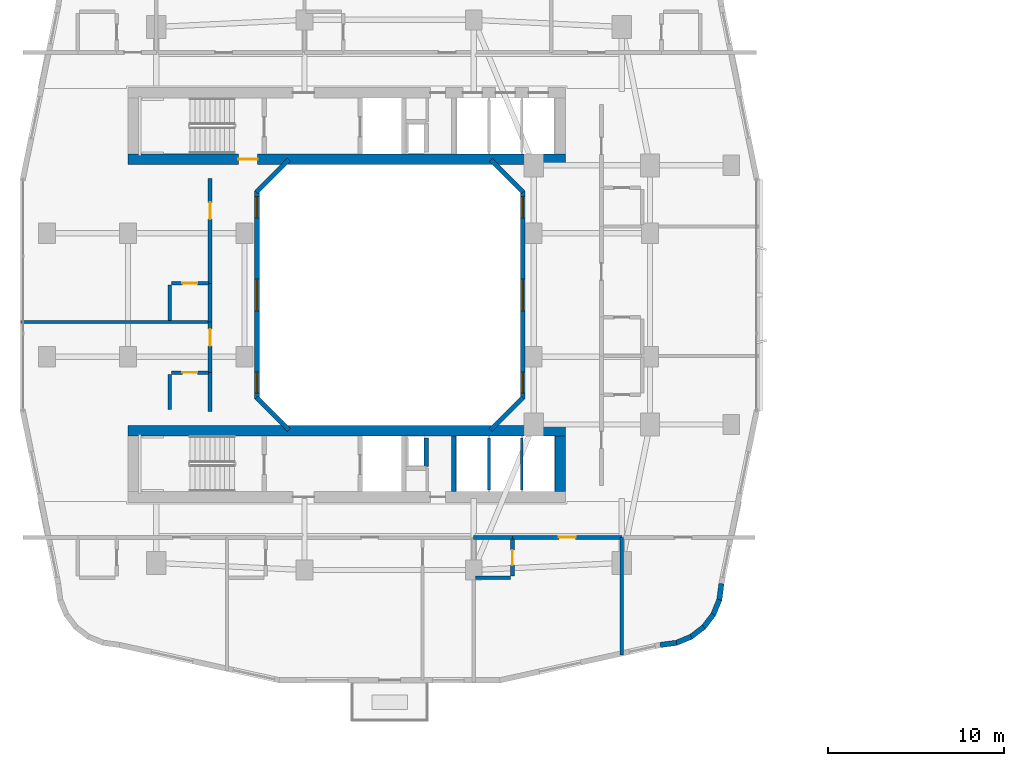
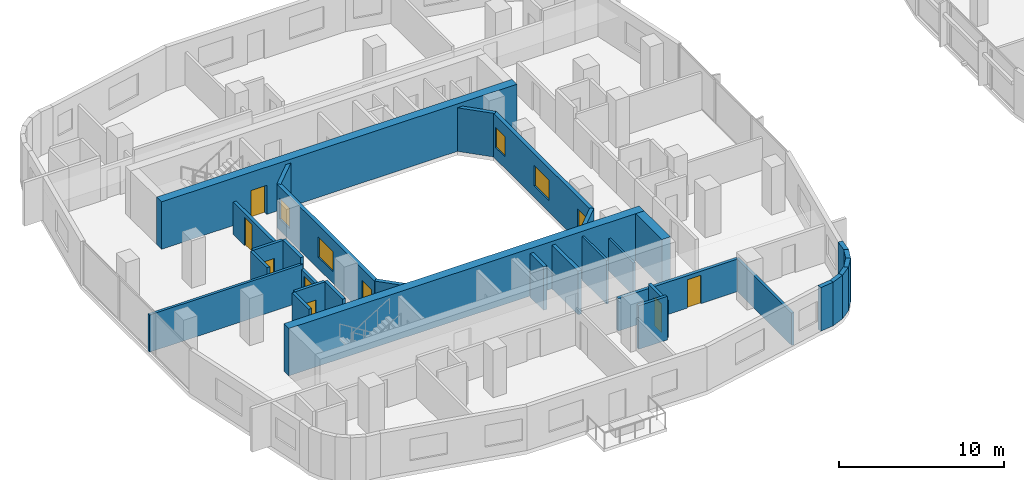
# One storey, part 9 of 22: 33 walls, 7 doors, 6 windows, 13 openings.
"""IFC4 building model written with IfcOpenShell, lengths in metres."""

from ifc_helpers import new_model, si_unit, derived_unit, direction, frame, frame_2d, origin, place, context, subcontext, project, spatial, rectangle, extrude, material, layer, layer_set, type_object, element, fill, save


model = new_model("IFC4")

# Units and contexts
model_context = context("Model", 3, precision=1e-05, world=origin(), true_north=direction((0.0, 1.0)))
body_context = subcontext(model_context, "Body", "Model", "MODEL_VIEW")
ifc_project = project(units=[si_unit("LENGTHUNIT", "METRE"), si_unit("AREAUNIT", "SQUARE_METRE"), si_unit("VOLUMEUNIT", "CUBIC_METRE"), si_unit("PLANEANGLEUNIT", "RADIAN"), si_unit("MASSUNIT", "GRAM", prefix="KILO"), derived_unit("THERMALTRANSMITTANCEUNIT", [(si_unit("POWERUNIT", "WATT"), 1), (si_unit("LENGTHUNIT", "METRE"), -2), (si_unit("THERMODYNAMICTEMPERATUREUNIT", "KELVIN"), -1)])], contexts=[model_context])

# Site, building, storey
site_placement = place(None, origin())
site = spatial("IfcSite", under=ifc_project, at=site_placement, CompositionType="ELEMENT")
building_placement = place(site_placement, origin())
building = spatial("IfcBuilding", under=site, at=building_placement, Name="Kivonza Crest Hotel", CompositionType="ELEMENT")
storey_placement = place(building_placement, frame((0.0, 0.0, 48.5)))
storey = spatial("IfcBuildingStorey", under=building, at=storey_placement, Name="L12", CompositionType="ELEMENT", Elevation=48.5)

# Walls
ifc_material_1 = material(Name="High-density acoustic masonry inter-tenancy wall", Category="masonry")
ifc_layer_1 = layer(ifc_material_1, 0.179931640625)
ifc_layer_set_1 = layer_set([ifc_layer_1], Name="High-density acoustic masonry inter-tenancy wall")
wall_type_1 = type_object("IfcWallType", Name="WL-ACOU-180", PredefinedType="SOLIDWALL", material=ifc_layer_set_1)
wall_1_placement = place(storey_placement, frame((34.199951171875, 4.575927734375, 0.0), z_axis=(0.0, 0.0, 1.0), x_axis=(0.0, 1.0, 0.0)))
element("IfcWall", 1, at=wall_1_placement, inside=storey, type_object=wall_type_1, Name="L12 interior partition WA-L12-T1S-DIV3", PredefinedType="SOLIDWALL", context=body_context, shape_type="SweptSolid", body=[
    extrude(rectangle(XDim=6.674072265625, YDim=0.179931640625, at=frame_2d((3.3369140625, 0.0))), origin(), (0.0, 0.0, 1.0), 2.39501953125),
])
wall_2_placement = place(storey_placement, frame((0.139892578125, 23.4599609375, 0.0), z_axis=(0.0, 0.0, 1.0), x_axis=(1.0, 0.0, 0.0)))
element("IfcWall", 2, at=wall_2_placement, inside=storey, type_object=wall_type_1, Name="L12 interior partition WA-L12-T1W-DIV1", PredefinedType="SOLIDWALL", context=body_context, shape_type="SweptSolid", body=[
    extrude(rectangle(XDim=10.710205078125, YDim=0.179931640625, at=frame_2d((5.35498046875, 0.0))), origin(), (0.0, 0.0, 1.0), 2.7451171875),
])
ifc_material_2 = material(Name="Autoclaved aerated concrete blockwork", Category="masonry")
ifc_layer_2 = layer(ifc_material_2, 0.219970703125)
ifc_layer_set_2 = layer_set([ifc_layer_2], Name="Autoclaved aerated concrete blockwork")
wall_type_2 = type_object("IfcWallType", Name="WL-ACOU-220", PredefinedType="SOLIDWALL", material=ifc_layer_set_2)
wall_3_placement = place(storey_placement, frame((25.800048828125, 11.25, 0.0), z_axis=(0.0, 0.0, 1.0), x_axis=(1.0, 0.0, 0.0)))
element("IfcWall", 3, at=wall_3_placement, inside=storey, type_object=wall_type_2, Name="L12 interior partition WA-L12-S06-BCORR", PredefinedType="SOLIDWALL", context=body_context, shape_type="SweptSolid", body=[
    extrude(rectangle(XDim=2.199951171875, YDim=0.219970703125, at=frame_2d((1.10009765625, 0.0))), origin(), (0.0, 0.0, 1.0), 2.39501953125),
])

# Wall, opening, door
wall_4_placement = place(storey_placement, frame((28.0, 11.25, 0.0), z_axis=(0.0, 0.0, 1.0), x_axis=(1.0, 0.0, 0.0)))
wall_4 = element("IfcWall", 4, at=wall_4_placement, inside=storey, type_object=wall_type_2, Name="L12 interior partition WA-L12-S06-MCORR", PredefinedType="SOLIDWALL", context=body_context, shape_type="SweptSolid", body=[
    extrude(rectangle(XDim=6.199951171875, YDim=0.219970703125, at=frame_2d((3.10009765625, 0.0))), origin(), (0.0, 0.0, 1.0), 2.39501953125),
])
opening_1_placement = place(wall_4_placement, frame((2.625, 0.0, 0.0)))
opening_1 = element("IfcOpeningElement", 5, at=opening_1_placement, cuts=wall_4, Name="Opening DU-60", PredefinedType="OPENING", context=body_context, shape_type="SweptSolid", body=[
    extrude(rectangle(XDim=0.949951171875, YDim=2.10009765625, at=frame_2d((0.47509765625, 1.050048828125))), frame((0.0, 0.1201171875, 0.0), z_axis=(0.0, -1.0, 0.0), x_axis=(1.0, 0.0, 0.0)), (0.0, 0.0, 1.0), 0.239990234375),
])
ifc_material_3 = material(Name="Hardwood timber oak", Category="wood")
door_type_1 = type_object("IfcDoorType", Name="DR-UNIT-950", OperationType="NOTDEFINED", PredefinedType="DOOR", material=ifc_material_3)
door_1_placement = place(opening_1_placement, frame((0.949951171875, 0.0, 0.0), z_axis=(0.0, 0.0, 1.0), x_axis=(-1.0, 0.0, 0.0)))
door_1 = element("IfcDoor", 6, at=door_1_placement, inside=storey, type_object=door_type_1, Name="L12 S06 guest unit entrance fire door", OperationType="SINGLE_SWING_RIGHT", OverallHeight=2.10009765625, OverallWidth=0.949951171875, PredefinedType="DOOR", context=body_context, shape_type="SweptSolid", body=[
    extrude(rectangle(XDim=0.949951171875, YDim=2.10009765625, at=frame_2d((0.47509765625, 1.050048828125))), frame((0.0, 0.02490234375, 0.0), z_axis=(0.0, -1.0, 0.0), x_axis=(1.0, 0.0, 0.0)), (0.0, 0.0, 1.0), 0.050048828125),
])
fill(opening_1, door_1)

# Wall
wall_5_placement = place(storey_placement, frame((10.85009765625, 18.39990234375, 0.0), z_axis=(0.0, 0.0, 1.0), x_axis=(0.0, 1.0, 0.0)))
element("IfcWall", 7, at=wall_5_placement, inside=storey, type_object=wall_type_2, Name="L12 interior partition WA-L12-W07-BCORR", PredefinedType="SOLIDWALL", context=body_context, shape_type="SweptSolid", body=[
    extrude(rectangle(XDim=2.2001953125, YDim=0.219970703125, at=frame_2d((1.10009765625, 0.0))), origin(), (0.0, 0.0, 1.0), 3.219970703125),
])

# Wall, opening, door
wall_6_placement = place(storey_placement, frame((10.85009765625, 20.60009765625, 0.0), z_axis=(0.0, 0.0, 1.0), x_axis=(0.0, 1.0, 0.0)))
wall_6 = element("IfcWall", 8, at=wall_6_placement, inside=storey, type_object=wall_type_2, Name="L12 interior partition WA-L12-W07-MCORR", PredefinedType="SOLIDWALL", context=body_context, shape_type="SweptSolid", body=[
    extrude(rectangle(XDim=2.85986328125, YDim=0.219970703125, at=frame_2d((1.429931640625, 0.0))), origin(), (0.0, 0.0, 1.0), 2.39501953125),
])
opening_2_placement = place(wall_6_placement, frame((1.514892578125, 0.0, 0.0)))
opening_2 = element("IfcOpeningElement", 9, at=opening_2_placement, cuts=wall_6, Name="Opening DU-60", PredefinedType="OPENING", context=body_context, shape_type="SweptSolid", body=[
    extrude(rectangle(XDim=0.949951171875, YDim=2.10009765625, at=frame_2d((0.47509765625, 1.050048828125))), frame((0.0, 0.1201171875, 0.0), z_axis=(0.0, -1.0, 0.0), x_axis=(1.0, 0.0, 0.0)), (0.0, 0.0, 1.0), 0.239990234375),
])
door_2_placement = place(opening_2_placement, origin())
door_2 = element("IfcDoor", 10, at=door_2_placement, inside=storey, type_object=door_type_1, Name="L12 W07 guest unit entrance fire door", OperationType="SINGLE_SWING_LEFT", OverallHeight=2.10009765625, OverallWidth=0.949951171875, PredefinedType="DOOR", context=body_context, shape_type="SweptSolid", body=[
    extrude(rectangle(XDim=0.949951171875, YDim=2.10009765625, at=frame_2d((0.47509765625, 1.050048828125))), frame((0.0, 0.02490234375, 0.0), z_axis=(0.0, -1.0, 0.0), x_axis=(1.0, 0.0, 0.0)), (0.0, 0.0, 1.0), 0.050048828125),
])
fill(opening_2, door_2)

# Wall
wall_7_placement = place(storey_placement, frame((10.85009765625, 23.4599609375, 0.0), z_axis=(0.0, 0.0, 1.0), x_axis=(0.0, 1.0, 0.0)))
element("IfcWall", 11, at=wall_7_placement, inside=storey, type_object=wall_type_2, Name="L12 interior partition WA-L12-W08-BCORR", PredefinedType="SOLIDWALL", context=body_context, shape_type="SweptSolid", body=[
    extrude(rectangle(XDim=2.199951171875, YDim=0.219970703125, at=frame_2d((1.10009765625, 0.0))), origin(), (0.0, 0.0, 1.0), 3.219970703125),
])

# Wall, opening, door
wall_8_placement = place(storey_placement, frame((10.85009765625, 25.659912109375, 0.0), z_axis=(0.0, 0.0, 1.0), x_axis=(0.0, 1.0, 0.0)))
wall_8 = element("IfcWall", 12, at=wall_8_placement, inside=storey, type_object=wall_type_2, Name="L12 interior partition WA-L12-W08-MCORR", PredefinedType="SOLIDWALL", context=body_context, shape_type="SweptSolid", body=[
    extrude(rectangle(XDim=5.940185546875, YDim=0.219970703125, at=frame_2d((2.97021484375, 0.0))), origin(), (0.0, 0.0, 1.0), 2.39501953125),
])
opening_3_placement = place(wall_8_placement, frame((3.64501953125, 0.0, 0.0)))
opening_3 = element("IfcOpeningElement", 13, at=opening_3_placement, cuts=wall_8, Name="Opening DU-60", PredefinedType="OPENING", context=body_context, shape_type="SweptSolid", body=[
    extrude(rectangle(XDim=0.949951171875, YDim=2.10009765625, at=frame_2d((0.47509765625, 1.050048828125))), frame((0.0, 0.1201171875, 0.0), z_axis=(0.0, -1.0, 0.0), x_axis=(1.0, 0.0, 0.0)), (0.0, 0.0, 1.0), 0.239990234375),
])
door_3_placement = place(opening_3_placement, origin())
door_3 = element("IfcDoor", 14, at=door_3_placement, inside=storey, type_object=door_type_1, Name="L12 W08 guest unit entrance fire door", OperationType="SINGLE_SWING_RIGHT", OverallHeight=2.10009765625, OverallWidth=0.949951171875, PredefinedType="DOOR", context=body_context, shape_type="SweptSolid", body=[
    extrude(rectangle(XDim=0.949951171875, YDim=2.10009765625, at=frame_2d((0.47509765625, 1.050048828125))), frame((0.0, 0.02490234375, 0.0), z_axis=(0.0, -1.0, 0.0), x_axis=(1.0, 0.0, 0.0)), (0.0, 0.0, 1.0), 0.050048828125),
])
fill(opening_3, door_3)

ifc_material_4 = material(Name="Concrete C60/75", Category="concrete")
ifc_layer_3 = layer(ifc_material_4, 0.60009765625)
ifc_layer_set_3 = layer_set([ifc_layer_3], Name="Concrete C60/75")
wall_type_3 = type_object("IfcWallType", Name="WL-CORE-600", PredefinedType="SHEAR", material=ifc_layer_set_3)
wall_9_placement = place(storey_placement, frame((6.199951171875, 32.699951171875, 0.0), z_axis=(0.0, 0.0, 1.0), x_axis=(1.0, 0.0, 0.0)))
wall_9 = element("IfcWall", 15, at=wall_9_placement, inside=storey, type_object=wall_type_3, Name="Core wall T1-N South L12", PredefinedType="SHEAR", context=body_context, shape_type="SweptSolid", body=[
    extrude(rectangle(XDim=24.800048828125, YDim=0.60009765625, at=frame_2d((12.39990234375, 0.0))), origin(), (0.0, 0.0, 1.0), 3.5),
])
opening_4_placement = place(wall_9_placement, frame((6.25, 0.0, 0.0)))
opening_4 = element("IfcOpeningElement", 16, at=opening_4_placement, cuts=wall_9, Name="Opening DF-120", PredefinedType="OPENING", context=body_context, shape_type="SweptSolid", body=[
    extrude(rectangle(XDim=1.10009765625, YDim=2.14990234375, at=frame_2d((0.550048828125, 1.074951171875))), frame((0.0, 0.31005859375, 0.0), z_axis=(0.0, -1.0, 0.0), x_axis=(1.0, 0.0, 0.0)), (0.0, 0.0, 1.0), 0.6201171875),
])
ifc_material_5 = material(Name="Galvanised steel", Category="steel")
door_type_2 = type_object("IfcDoorType", Name="DR-FD120-1100", OperationType="NOTDEFINED", PredefinedType="DOOR", material=ifc_material_5)
door_4_placement = place(opening_4_placement, origin())
door_4 = element("IfcDoor", 17, at=door_4_placement, inside=storey, type_object=door_type_2, Name="L12 West corridor stair access fire door", OperationType="SINGLE_SWING_LEFT", OverallHeight=2.14990234375, OverallWidth=1.10009765625, PredefinedType="DOOR", context=body_context, shape_type="SweptSolid", body=[
    extrude(rectangle(XDim=1.10009765625, YDim=2.14990234375, at=frame_2d((0.550048828125, 1.074951171875))), frame((0.0, 0.02490234375, 0.0), z_axis=(0.0, -1.0, 0.0), x_axis=(1.0, 0.0, 0.0)), (0.0, 0.0, 1.0), 0.050048828125),
])
fill(opening_4, door_4)

# Walls
wall_10_placement = place(storey_placement, frame((6.199951171875, 17.300048828125, 0.0), z_axis=(0.0, 0.0, 1.0), x_axis=(1.0, 0.0, 0.0)))
element("IfcWall", 18, at=wall_10_placement, inside=storey, type_object=wall_type_3, Name="Core wall T1-S North L12", PredefinedType="SHEAR", context=body_context, shape_type="SweptSolid", body=[
    extrude(rectangle(XDim=24.800048828125, YDim=0.60009765625, at=frame_2d((12.39990234375, 0.0))), origin(), (0.0, 0.0, 1.0), 3.5),
])
wall_11_placement = place(storey_placement, frame((30.699951171875, 13.840087890625, 0.0), z_axis=(0.0, 0.0, 1.0), x_axis=(0.0, 1.0, 0.0)))
element("IfcWall", 19, at=wall_11_placement, inside=storey, type_object=wall_type_3, Name="Core wall T1-S East L12", PredefinedType="SHEAR", context=body_context, shape_type="SweptSolid", body=[
    extrude(rectangle(XDim=3.159912109375, YDim=0.60009765625, at=frame_2d((1.580078125, 0.0))), origin(), (0.0, 0.0, 1.0), 3.5),
])
ifc_material_6 = material(Name="Precast concrete C40/50", Category="concrete")
ifc_layer_4 = layer(ifc_material_6, 0.260009765625)
ifc_layer_set_4 = layer_set([ifc_layer_4], Name="Precast concrete C40/50")
wall_type_4 = type_object("IfcWallType", Name="WL-EXT-260", PredefinedType="STANDARD", material=ifc_layer_set_4)
wall_12_placement = place(storey_placement, frame((26.761962890625, 17.337890625, 0.0), z_axis=(0.0, 0.0, 1.0), x_axis=(0.707059717605, 0.707153841636, 0.0)))
element("IfcWall", 20, at=wall_12_placement, inside=storey, type_object=wall_type_4, Name="L12 T1 light-well exterior wall 2", PredefinedType="STANDARD", context=body_context, shape_type="SweptSolid", body=[
    extrude(rectangle(XDim=2.59375, YDim=0.260009765625, at=frame_2d((1.296875, 0.0))), origin(), (0.0, 0.0, 1.0), 3.219970703125),
])

# Wall, openings, windows
wall_13_placement = place(storey_placement, frame((28.570068359375, 19.110107421875, 0.0), z_axis=(0.0, 0.0, 1.0), x_axis=(0.0, 1.0, 0.0)))
wall_13 = element("IfcWall", 21, at=wall_13_placement, inside=storey, type_object=wall_type_4, Name="L12 T1 light-well exterior wall 3", PredefinedType="STANDARD", context=body_context, shape_type="SweptSolid", body=[
    extrude(rectangle(XDim=11.77978515625, YDim=0.260009765625, at=frame_2d((5.889892578125, 0.0))), origin(), (0.0, 0.0, 1.0), 3.219970703125),
])
opening_5_placement = place(wall_13_placement, frame((0.318115234375, 0.0, 0.85009765625)))
opening_5 = element("IfcOpeningElement", 22, at=opening_5_placement, cuts=wall_13, Name="Opening WN-01", PredefinedType="OPENING", context=body_context, shape_type="SweptSolid", body=[
    extrude(rectangle(XDim=1.199951171875, YDim=1.5, at=frame_2d((0.60009765625, 0.75))), frame((0.0, 0.14013671875, 0.0), z_axis=(0.0, -1.0, 0.0), x_axis=(1.0, 0.0, 0.0)), (0.0, 0.0, 1.0), 0.280029296875),
])
opening_6_placement = place(wall_13_placement, frame((4.989990234375, 0.0, 0.85009765625)))
opening_6 = element("IfcOpeningElement", 23, at=opening_6_placement, cuts=wall_13, Name="Opening WN-03", PredefinedType="OPENING", context=body_context, shape_type="SweptSolid", body=[
    extrude(rectangle(XDim=1.800048828125, YDim=1.5, at=frame_2d((0.89990234375, 0.75))), frame((0.0, 0.14013671875, 0.0), z_axis=(0.0, -1.0, 0.0), x_axis=(1.0, 0.0, 0.0)), (0.0, 0.0, 1.0), 0.280029296875),
])
opening_7_placement = place(wall_13_placement, frame((10.262939453125, 0.0, 0.85009765625)))
opening_7 = element("IfcOpeningElement", 24, at=opening_7_placement, cuts=wall_13, Name="Opening WN-01", PredefinedType="OPENING", context=body_context, shape_type="SweptSolid", body=[
    extrude(rectangle(XDim=1.199951171875, YDim=1.5, at=frame_2d((0.60009765625, 0.75))), frame((0.0, 0.14013671875, 0.0), z_axis=(0.0, -1.0, 0.0), x_axis=(1.0, 0.0, 0.0)), (0.0, 0.0, 1.0), 0.280029296875),
])
ifc_material_7 = material(Name="Thermally broken bronze aluminium and low-E double glazing", Category="aluminium")
window_type_1 = type_object("IfcWindowType", Name="WN-120x150", PartitioningType="SINGLE_PANEL", PredefinedType="WINDOW", material=ifc_material_7)
window_1_placement = place(opening_5_placement, origin())
window_1 = element("IfcWindow", 25, at=window_1_placement, inside=storey, type_object=window_type_1, Name="L12 T1 light-well window 3 bay 1", OverallHeight=1.5, OverallWidth=1.199951171875, PartitioningType="SINGLE_PANEL", PredefinedType="WINDOW", context=body_context, shape_type="SweptSolid", body=[
    extrude(rectangle(XDim=1.199951171875, YDim=1.5, at=frame_2d((0.60009765625, 0.75))), frame((0.0, 0.030029296875, 0.0), z_axis=(0.0, -1.0, 0.0), x_axis=(1.0, 0.0, 0.0)), (0.0, 0.0, 1.0), 0.06005859375),
])
fill(opening_5, window_1)
window_2_placement = place(opening_7_placement, origin())
window_2 = element("IfcWindow", 26, at=window_2_placement, inside=storey, type_object=window_type_1, Name="L12 T1 light-well window 3 bay 3", OverallHeight=1.5, OverallWidth=1.199951171875, PartitioningType="SINGLE_PANEL", PredefinedType="WINDOW", context=body_context, shape_type="SweptSolid", body=[
    extrude(rectangle(XDim=1.199951171875, YDim=1.5, at=frame_2d((0.60009765625, 0.75))), frame((0.0, 0.030029296875, 0.0), z_axis=(0.0, -1.0, 0.0), x_axis=(1.0, 0.0, 0.0)), (0.0, 0.0, 1.0), 0.06005859375),
])
fill(opening_7, window_2)
window_type_2 = type_object("IfcWindowType", Name="WN-180x150", PartitioningType="DOUBLE_PANEL_VERTICAL", PredefinedType="WINDOW", material=ifc_material_7)
window_3_placement = place(opening_6_placement, origin())
window_3 = element("IfcWindow", 27, at=window_3_placement, inside=storey, type_object=window_type_2, Name="L12 T1 light-well window 3 bay 2", OverallHeight=1.5, OverallWidth=1.800048828125, PartitioningType="SINGLE_PANEL", PredefinedType="WINDOW", context=body_context, shape_type="SweptSolid", body=[
    extrude(rectangle(XDim=1.800048828125, YDim=1.5, at=frame_2d((0.89990234375, 0.75))), frame((0.0, 0.030029296875, 0.0), z_axis=(0.0, -1.0, 0.0), x_axis=(1.0, 0.0, 0.0)), (0.0, 0.0, 1.0), 0.06005859375),
])
fill(opening_6, window_3)

# Walls
wall_14_placement = place(storey_placement, frame((28.595947265625, 30.827880859375, 0.0), z_axis=(0.0, 0.0, 1.0), x_axis=(-0.707059717605, 0.707153841636, 0.0)))
element("IfcWall", 28, at=wall_14_placement, inside=storey, type_object=wall_type_4, Name="L12 T1 light-well exterior wall 4", PredefinedType="STANDARD", context=body_context, shape_type="SweptSolid", body=[
    extrude(rectangle(XDim=2.59375, YDim=0.260009765625, at=frame_2d((1.296875, 0.0))), origin(), (0.0, 0.0, 1.0), 3.219970703125),
])
wall_15_placement = place(storey_placement, frame((15.318115234375, 32.662109375, 0.0), z_axis=(0.0, 0.0, 1.0), x_axis=(-0.707106781187, -0.707106781187, 0.0)))
element("IfcWall", 29, at=wall_15_placement, inside=storey, type_object=wall_type_4, Name="L12 T1 light-well exterior wall 6", PredefinedType="STANDARD", context=body_context, shape_type="SweptSolid", body=[
    extrude(rectangle(XDim=2.593994140625, YDim=0.260009765625, at=frame_2d((1.296875, 0.0))), origin(), (0.0, 0.0, 1.0), 3.219970703125),
])

# Wall, openings, windows
wall_16_placement = place(storey_placement, frame((13.510009765625, 30.889892578125, 0.0), z_axis=(0.0, 0.0, 1.0), x_axis=(0.0, -1.0, 0.0)))
wall_16 = element("IfcWall", 30, at=wall_16_placement, inside=storey, type_object=wall_type_4, Name="L12 T1 light-well exterior wall 7", PredefinedType="STANDARD", context=body_context, shape_type="SweptSolid", body=[
    extrude(rectangle(XDim=11.77978515625, YDim=0.260009765625, at=frame_2d((5.889892578125, 0.0))), origin(), (0.0, 0.0, 1.0), 3.219970703125),
])
opening_8_placement = place(wall_16_placement, frame((0.318115234375, 0.0, 0.85009765625)))
opening_8 = element("IfcOpeningElement", 31, at=opening_8_placement, cuts=wall_16, Name="Opening WN-01", PredefinedType="OPENING", context=body_context, shape_type="SweptSolid", body=[
    extrude(rectangle(XDim=1.199951171875, YDim=1.5, at=frame_2d((0.60009765625, 0.75))), frame((0.0, 0.14013671875, 0.0), z_axis=(0.0, -1.0, 0.0), x_axis=(1.0, 0.0, 0.0)), (0.0, 0.0, 1.0), 0.280029296875),
])
opening_9_placement = place(wall_16_placement, frame((4.989990234375, 0.0, 0.85009765625)))
opening_9 = element("IfcOpeningElement", 32, at=opening_9_placement, cuts=wall_16, Name="Opening WN-03", PredefinedType="OPENING", context=body_context, shape_type="SweptSolid", body=[
    extrude(rectangle(XDim=1.800048828125, YDim=1.5, at=frame_2d((0.89990234375, 0.75))), frame((0.0, 0.14013671875, 0.0), z_axis=(0.0, -1.0, 0.0), x_axis=(1.0, 0.0, 0.0)), (0.0, 0.0, 1.0), 0.280029296875),
])
opening_10_placement = place(wall_16_placement, frame((10.262939453125, 0.0, 0.85009765625)))
opening_10 = element("IfcOpeningElement", 33, at=opening_10_placement, cuts=wall_16, Name="Opening WN-01", PredefinedType="OPENING", context=body_context, shape_type="SweptSolid", body=[
    extrude(rectangle(XDim=1.199951171875, YDim=1.5, at=frame_2d((0.60009765625, 0.75))), frame((0.0, 0.14013671875, 0.0), z_axis=(0.0, -1.0, 0.0), x_axis=(1.0, 0.0, 0.0)), (0.0, 0.0, 1.0), 0.280029296875),
])
window_4_placement = place(opening_8_placement, origin())
window_4 = element("IfcWindow", 34, at=window_4_placement, inside=storey, type_object=window_type_1, Name="L12 T1 light-well window 7 bay 1", OverallHeight=1.5, OverallWidth=1.199951171875, PartitioningType="SINGLE_PANEL", PredefinedType="WINDOW", context=body_context, shape_type="SweptSolid", body=[
    extrude(rectangle(XDim=1.199951171875, YDim=1.5, at=frame_2d((0.60009765625, 0.75))), frame((0.0, 0.030029296875, 0.0), z_axis=(0.0, -1.0, 0.0), x_axis=(1.0, 0.0, 0.0)), (0.0, 0.0, 1.0), 0.06005859375),
])
fill(opening_8, window_4)
window_5_placement = place(opening_10_placement, origin())
window_5 = element("IfcWindow", 35, at=window_5_placement, inside=storey, type_object=window_type_1, Name="L12 T1 light-well window 7 bay 3", OverallHeight=1.5, OverallWidth=1.199951171875, PartitioningType="SINGLE_PANEL", PredefinedType="WINDOW", context=body_context, shape_type="SweptSolid", body=[
    extrude(rectangle(XDim=1.199951171875, YDim=1.5, at=frame_2d((0.60009765625, 0.75))), frame((0.0, 0.030029296875, 0.0), z_axis=(0.0, -1.0, 0.0), x_axis=(1.0, 0.0, 0.0)), (0.0, 0.0, 1.0), 0.06005859375),
])
fill(opening_10, window_5)
window_6_placement = place(opening_9_placement, origin())
window_6 = element("IfcWindow", 36, at=window_6_placement, inside=storey, type_object=window_type_2, Name="L12 T1 light-well window 7 bay 2", OverallHeight=1.5, OverallWidth=1.800048828125, PartitioningType="SINGLE_PANEL", PredefinedType="WINDOW", context=body_context, shape_type="SweptSolid", body=[
    extrude(rectangle(XDim=1.800048828125, YDim=1.5, at=frame_2d((0.89990234375, 0.75))), frame((0.0, 0.030029296875, 0.0), z_axis=(0.0, -1.0, 0.0), x_axis=(1.0, 0.0, 0.0)), (0.0, 0.0, 1.0), 0.06005859375),
])
fill(opening_9, window_6)

# Walls
wall_17_placement = place(storey_placement, frame((13.48388671875, 19.172119140625, 0.0), z_axis=(0.0, 0.0, 1.0), x_axis=(0.707106781187, -0.707106781187, 0.0)))
element("IfcWall", 37, at=wall_17_placement, inside=storey, type_object=wall_type_4, Name="L12 T1 light-well exterior wall 8", PredefinedType="STANDARD", context=body_context, shape_type="SweptSolid", body=[
    extrude(rectangle(XDim=2.593994140625, YDim=0.260009765625, at=frame_2d((1.296875, 0.0))), origin(), (0.0, 0.0, 1.0), 3.219970703125),
])
ifc_layer_5 = layer(ifc_material_6, 0.300048828125)
ifc_layer_set_5 = layer_set([ifc_layer_5], Name="Precast concrete C40/50")
wall_type_5 = type_object("IfcWallType", Name="WL-EXT-300", PredefinedType="STANDARD", material=ifc_layer_set_5)
wall_18_placement = place(storey_placement, frame((36.3720703125, 5.14794921875, 0.0), z_axis=(0.0, 0.0, 1.0), x_axis=(0.991359246108, 0.131174864804, 0.0)))
element("IfcWall", 38, at=wall_18_placement, inside=storey, type_object=wall_type_5, Name="L12 T1 exterior insulated wall 10", PredefinedType="STANDARD", context=body_context, shape_type="SweptSolid", body=[
    extrude(rectangle(XDim=0.93798828125, YDim=0.300048828125, at=frame_2d((0.468994140625, 0.0))), origin(), (0.0, 0.0, 1.0), 3.219970703125),
])
wall_19_placement = place(storey_placement, frame((37.251953125, 5.251953125, 0.0), z_axis=(0.0, 0.0, 1.0), x_axis=(0.924019948111, 0.382344263057, 0.0)))
element("IfcWall", 39, at=wall_19_placement, inside=storey, type_object=wall_type_5, Name="L12 T1 exterior insulated wall 11", PredefinedType="STANDARD", context=body_context, shape_type="SweptSolid", body=[
    extrude(rectangle(XDim=0.95458984375, YDim=0.300048828125, at=frame_2d((0.477294921875, 0.0))), origin(), (0.0, 0.0, 1.0), 3.219970703125),
])
wall_20_placement = place(storey_placement, frame((38.089111328125, 5.5859375, 0.0), z_axis=(0.0, 0.0, 1.0), x_axis=(0.793573440799, 0.608474481025, 0.0)))
element("IfcWall", 40, at=wall_20_placement, inside=storey, type_object=wall_type_5, Name="L12 T1 exterior insulated wall 12", PredefinedType="STANDARD", context=body_context, shape_type="SweptSolid", body=[
    extrude(rectangle(XDim=0.954833984375, YDim=0.300048828125, at=frame_2d((0.4775390625, 0.0))), origin(), (0.0, 0.0, 1.0), 3.219970703125),
])
wall_21_placement = place(storey_placement, frame((38.81201171875, 6.125, 0.0), z_axis=(0.0, 0.0, 1.0), x_axis=(0.608351047625, 0.793668068435, 0.0)))
element("IfcWall", 41, at=wall_21_placement, inside=storey, type_object=wall_type_5, Name="L12 T1 exterior insulated wall 13", PredefinedType="STANDARD", context=body_context, shape_type="SweptSolid", body=[
    extrude(rectangle(XDim=0.955078125, YDim=0.300048828125, at=frame_2d((0.4775390625, 0.0))), origin(), (0.0, 0.0, 1.0), 3.219970703125),
])
wall_22_placement = place(storey_placement, frame((39.368896484375, 6.833984375, 0.0), z_axis=(0.0, 0.0, 1.0), x_axis=(0.382344263057, 0.924019948111, 0.0)))
element("IfcWall", 42, at=wall_22_placement, inside=storey, type_object=wall_type_5, Name="L12 T1 exterior insulated wall 14", PredefinedType="STANDARD", context=body_context, shape_type="SweptSolid", body=[
    extrude(rectangle(XDim=0.95458984375, YDim=0.300048828125, at=frame_2d((0.477294921875, 0.0))), origin(), (0.0, 0.0, 1.0), 3.219970703125),
])
wall_23_placement = place(storey_placement, frame((39.72509765625, 7.6630859375, 0.0), z_axis=(0.0, 0.0, 1.0), x_axis=(0.130454512571, 0.991454295543, 0.0)))
element("IfcWall", 43, at=wall_23_placement, inside=storey, type_object=wall_type_5, Name="L12 T1 exterior insulated wall 15", PredefinedType="STANDARD", context=body_context, shape_type="SweptSolid", body=[
    extrude(rectangle(XDim=0.97314453125, YDim=0.300048828125, at=frame_2d((0.486572265625, 0.0))), origin(), (0.0, 0.0, 1.0), 3.219970703125),
])
ifc_material_8 = material(Name="Concrete blockwork fire-compartment wall", Category="masonry")
ifc_layer_6 = layer(ifc_material_8, 0.25)
ifc_layer_set_6 = layer_set([ifc_layer_6], Name="Concrete blockwork fire-compartment wall")
wall_type_6 = type_object("IfcWallType", Name="WL-FIRE-250", PredefinedType="SOLIDWALL", material=ifc_layer_set_6)
wall_24_placement = place(storey_placement, frame((23.10009765625, 15.280029296875, 0.0), z_axis=(0.0, 0.0, 1.0), x_axis=(0.0, 1.0, 0.0)))
element("IfcWall", 44, at=wall_24_placement, inside=storey, type_object=wall_type_6, Name="L12 interior partition WA-L12-T1-S-MEPR-E", PredefinedType="SOLIDWALL", context=body_context, shape_type="SweptSolid", body=[
    extrude(rectangle(XDim=1.619873046875, YDim=0.25, at=frame_2d((0.81005859375, 0.0))), origin(), (0.0, 0.0, 1.0), 3.219970703125),
])
ifc_material_9 = material(Name="Twin-stud acoustic gypsum board partition", Category="gypsum")
ifc_layer_7 = layer(ifc_material_9, 0.14990234375)
ifc_layer_set_7 = layer_set([ifc_layer_7], Name="Twin-stud acoustic gypsum board partition")
wall_type_7 = type_object("IfcWallType", Name="WL-PART-150", PredefinedType="PARTITIONING", material=ifc_layer_set_7)
wall_25_placement = place(storey_placement, frame((26.6669921875, 13.93994140625, 0.0), z_axis=(0.0, 0.0, 1.0), x_axis=(0.0, 1.0, 0.0)))
element("IfcWall", 45, at=wall_25_placement, inside=storey, type_object=wall_type_7, Name="L12 interior partition WP-L12-T1-S-BSH-1", PredefinedType="PARTITIONING", context=body_context, shape_type="SweptSolid", body=[
    extrude(rectangle(XDim=2.9599609375, YDim=0.14990234375, at=frame_2d((1.47998046875, 0.0))), origin(), (0.0, 0.0, 1.0), 3.219970703125),
])
wall_26_placement = place(storey_placement, frame((28.532958984375, 13.93994140625, 0.0), z_axis=(0.0, 0.0, 1.0), x_axis=(0.0, 1.0, 0.0)))
element("IfcWall", 46, at=wall_26_placement, inside=storey, type_object=wall_type_7, Name="L12 interior partition WP-L12-T1-S-BSH-2", PredefinedType="PARTITIONING", context=body_context, shape_type="SweptSolid", body=[
    extrude(rectangle(XDim=2.9599609375, YDim=0.14990234375, at=frame_2d((1.47998046875, 0.0))), origin(), (0.0, 0.0, 1.0), 2.39501953125),
])

# Wall, opening, door
ifc_material_10 = material(Name="Moisture-resistant plumbing chase partition wall", Category="gypsum")
ifc_layer_8 = layer(ifc_material_10, 0.199951171875)
ifc_layer_set_8 = layer_set([ifc_layer_8], Name="Moisture-resistant plumbing chase partition wall")
wall_type_8 = type_object("IfcWallType", Name="WL-PLUMB-200", PredefinedType="PLUMBINGWALL", material=ifc_layer_set_8)
wall_27_placement = place(storey_placement, frame((28.0, 9.050048828125, 0.0), z_axis=(0.0, 0.0, 1.0), x_axis=(0.0, 1.0, 0.0)))
wall_27 = element("IfcWall", 47, at=wall_27_placement, inside=storey, type_object=wall_type_8, Name="L12 interior partition WW-L12-S06-BV", PredefinedType="PLUMBINGWALL", context=body_context, shape_type="SweptSolid", body=[
    extrude(rectangle(XDim=2.099853515625, YDim=0.199951171875, at=frame_2d((1.0498046875, 0.0))), origin(), (0.0, 0.0, 1.0), 2.7451171875),
])
opening_11_placement = place(wall_27_placement, frame((0.625, 0.0, 0.0)))
opening_11 = element("IfcOpeningElement", 48, at=opening_11_placement, cuts=wall_27, Name="Opening DI-85", PredefinedType="OPENING", context=body_context, shape_type="SweptSolid", body=[
    extrude(rectangle(XDim=0.85009765625, YDim=2.10009765625, at=frame_2d((0.425048828125, 1.050048828125))), frame((0.0, 0.10986328125, 0.0), z_axis=(0.0, -1.0, 0.0), x_axis=(1.0, 0.0, 0.0)), (0.0, 0.0, 1.0), 0.219970703125),
])
door_type_3 = type_object("IfcDoorType", Name="DR-INT-850", OperationType="NOTDEFINED", PredefinedType="DOOR", material=ifc_material_3)
door_5_placement = place(opening_11_placement, frame((0.85009765625, 0.0, 0.0), z_axis=(0.0, 0.0, 1.0), x_axis=(-1.0, 0.0, 0.0)))
door_5 = element("IfcDoor", 49, at=door_5_placement, inside=storey, type_object=door_type_3, Name="L12 S06 en-suite bathroom door", OperationType="SINGLE_SWING_LEFT", OverallHeight=2.10009765625, OverallWidth=0.85009765625, PredefinedType="DOOR", context=body_context, shape_type="SweptSolid", body=[
    extrude(rectangle(XDim=0.85009765625, YDim=2.10009765625, at=frame_2d((0.425048828125, 1.050048828125))), frame((0.0, 0.02490234375, 0.0), z_axis=(0.0, -1.0, 0.0), x_axis=(1.0, 0.0, 0.0)), (0.0, 0.0, 1.0), 0.050048828125),
])
fill(opening_11, door_5)

# Wall
wall_28_placement = place(storey_placement, frame((25.89990234375, 8.949951171875, 0.0), z_axis=(0.0, 0.0, 1.0), x_axis=(1.0, 0.0, 0.0)))
element("IfcWall", 50, at=wall_28_placement, inside=storey, type_object=wall_type_8, Name="L12 interior partition WW-L12-S06-BH", PredefinedType="PLUMBINGWALL", context=body_context, shape_type="SweptSolid", body=[
    extrude(rectangle(XDim=2.0, YDim=0.199951171875, at=frame_2d((1.0, 0.0))), origin(), (0.0, 0.0, 1.0), 3.219970703125),
])

# Wall, opening, door
wall_29_placement = place(storey_placement, frame((8.64990234375, 20.60009765625, 0.0), z_axis=(0.0, 0.0, 1.0), x_axis=(1.0, 0.0, 0.0)))
wall_29 = element("IfcWall", 51, at=wall_29_placement, inside=storey, type_object=wall_type_8, Name="L12 interior partition WW-L12-W07-BH", PredefinedType="PLUMBINGWALL", context=body_context, shape_type="SweptSolid", body=[
    extrude(rectangle(XDim=2.10009765625, YDim=0.199951171875, at=frame_2d((1.050048828125, 0.0))), origin(), (0.0, 0.0, 1.0), 3.219970703125),
])
opening_12_placement = place(wall_29_placement, frame((0.625, 0.0, 0.0)))
opening_12 = element("IfcOpeningElement", 52, at=opening_12_placement, cuts=wall_29, Name="Opening DI-85", PredefinedType="OPENING", context=body_context, shape_type="SweptSolid", body=[
    extrude(rectangle(XDim=0.85009765625, YDim=2.10009765625, at=frame_2d((0.425048828125, 1.050048828125))), frame((0.0, 0.10986328125, 0.0), z_axis=(0.0, -1.0, 0.0), x_axis=(1.0, 0.0, 0.0)), (0.0, 0.0, 1.0), 0.219970703125),
])
door_6_placement = place(opening_12_placement, origin())
door_6 = element("IfcDoor", 53, at=door_6_placement, inside=storey, type_object=door_type_3, Name="L12 W07 en-suite bathroom door", OperationType="SINGLE_SWING_RIGHT", OverallHeight=2.10009765625, OverallWidth=0.85009765625, PredefinedType="DOOR", context=body_context, shape_type="SweptSolid", body=[
    extrude(rectangle(XDim=0.85009765625, YDim=2.10009765625, at=frame_2d((0.425048828125, 1.050048828125))), frame((0.0, 0.02490234375, 0.0), z_axis=(0.0, -1.0, 0.0), x_axis=(1.0, 0.0, 0.0)), (0.0, 0.0, 1.0), 0.050048828125),
])
fill(opening_12, door_6)

# Wall
wall_30_placement = place(storey_placement, frame((8.550048828125, 18.5, 0.0), z_axis=(0.0, 0.0, 1.0), x_axis=(0.0, 1.0, 0.0)))
element("IfcWall", 54, at=wall_30_placement, inside=storey, type_object=wall_type_8, Name="L12 interior partition WW-L12-W07-BV", PredefinedType="PLUMBINGWALL", context=body_context, shape_type="SweptSolid", body=[
    extrude(rectangle(XDim=2.0, YDim=0.199951171875, at=frame_2d((1.0, 0.0))), origin(), (0.0, 0.0, 1.0), 3.219970703125),
])

# Wall, opening, door
wall_31_placement = place(storey_placement, frame((8.64990234375, 25.659912109375, 0.0), z_axis=(0.0, 0.0, 1.0), x_axis=(1.0, 0.0, 0.0)))
wall_31 = element("IfcWall", 55, at=wall_31_placement, inside=storey, type_object=wall_type_8, Name="L12 interior partition WW-L12-W08-BH", PredefinedType="PLUMBINGWALL", context=body_context, shape_type="SweptSolid", body=[
    extrude(rectangle(XDim=2.10009765625, YDim=0.199951171875, at=frame_2d((1.050048828125, 0.0))), origin(), (0.0, 0.0, 1.0), 3.219970703125),
])
opening_13_placement = place(wall_31_placement, frame((0.625, 0.0, 0.0)))
opening_13 = element("IfcOpeningElement", 56, at=opening_13_placement, cuts=wall_31, Name="Opening DI-85", PredefinedType="OPENING", context=body_context, shape_type="SweptSolid", body=[
    extrude(rectangle(XDim=0.85009765625, YDim=2.10009765625, at=frame_2d((0.425048828125, 1.050048828125))), frame((0.0, 0.10986328125, 0.0), z_axis=(0.0, -1.0, 0.0), x_axis=(1.0, 0.0, 0.0)), (0.0, 0.0, 1.0), 0.219970703125),
])
door_7_placement = place(opening_13_placement, origin())
door_7 = element("IfcDoor", 57, at=door_7_placement, inside=storey, type_object=door_type_3, Name="L12 W08 en-suite bathroom door", OperationType="SINGLE_SWING_LEFT", OverallHeight=2.10009765625, OverallWidth=0.85009765625, PredefinedType="DOOR", context=body_context, shape_type="SweptSolid", body=[
    extrude(rectangle(XDim=0.85009765625, YDim=2.10009765625, at=frame_2d((0.425048828125, 1.050048828125))), frame((0.0, 0.02490234375, 0.0), z_axis=(0.0, -1.0, 0.0), x_axis=(1.0, 0.0, 0.0)), (0.0, 0.0, 1.0), 0.050048828125),
])
fill(opening_13, door_7)

# Walls
wall_32_placement = place(storey_placement, frame((8.550048828125, 23.56005859375, 0.0), z_axis=(0.0, 0.0, 1.0), x_axis=(0.0, 1.0, 0.0)))
element("IfcWall", 58, at=wall_32_placement, inside=storey, type_object=wall_type_8, Name="L12 interior partition WW-L12-W08-BV", PredefinedType="PLUMBINGWALL", context=body_context, shape_type="SweptSolid", body=[
    extrude(rectangle(XDim=2.0, YDim=0.199951171875, at=frame_2d((1.0, 0.0))), origin(), (0.0, 0.0, 1.0), 3.219970703125),
])
ifc_material_11 = material(Name="Concrete C50/60", Category="concrete")
ifc_layer_9 = layer(ifc_material_11, 0.25)
ifc_layer_set_9 = layer_set([ifc_layer_9], Name="Concrete C50/60")
wall_type_9 = type_object("IfcWallType", Name="WL-SHAFT-250", PredefinedType="STANDARD", material=ifc_layer_set_9)
wall_33_placement = place(storey_placement, frame((24.675048828125, 13.840087890625, 0.0), z_axis=(0.0, 0.0, 1.0), x_axis=(0.0, 1.0, 0.0)))
element("IfcWall", 59, at=wall_33_placement, inside=storey, type_object=wall_type_9, Name="Core shaft wall T1-S BANK-W L12", PredefinedType="STANDARD", context=body_context, shape_type="SweptSolid", body=[
    extrude(rectangle(XDim=3.159912109375, YDim=0.25, at=frame_2d((1.580078125, 0.0))), origin(), (0.0, 0.0, 1.0), 3.219970703125),
])

save(model, "model.ifc")
